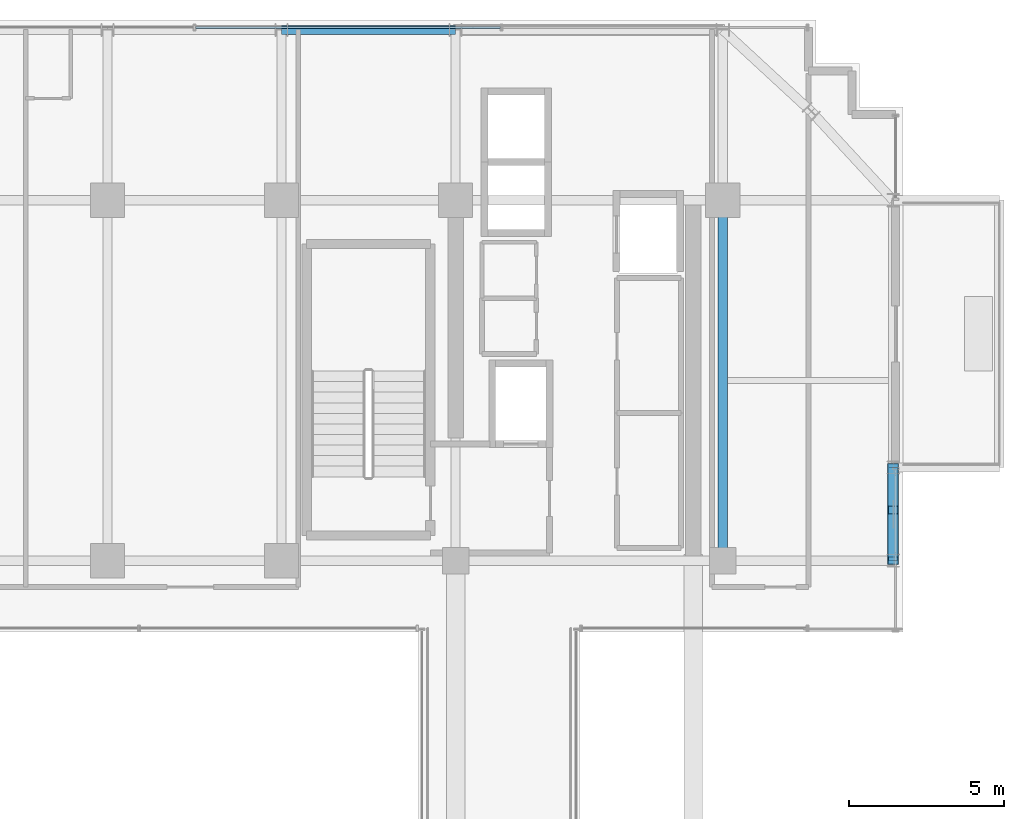
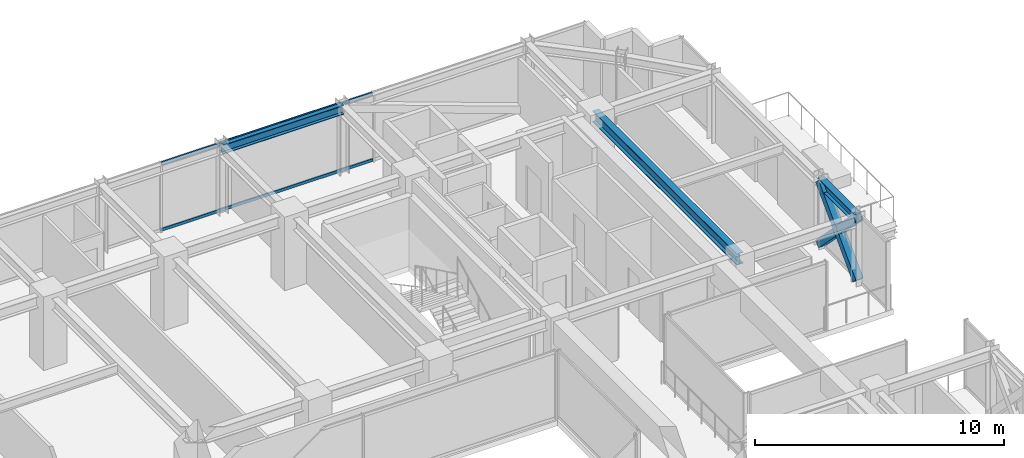
# One storey, part 25 of 38: 5 members, 3 beams, 1 element without a shape of its own.
"""IFC4 building model written with IfcOpenShell, lengths in metres."""

from ifc_helpers import new_model, si_unit, direction, frame, origin, origin_2d, place, context, subcontext, project, spatial, hollow_rectangle, i_section, extrude, source, transform, mapped, material, material_profile, profile_set, type_object, element, aggregate, save


model = new_model("IFC4")

# Units and contexts
model_context = context("Model", 3, precision=1e-05, world=origin(), true_north=direction((0.0, 1.0)))
body_context = subcontext(model_context, "Body", "Model", "MODEL_VIEW")
ifc_project = project(units=[si_unit("LENGTHUNIT", "METRE"), si_unit("AREAUNIT", "SQUARE_METRE"), si_unit("VOLUMEUNIT", "CUBIC_METRE"), si_unit("PLANEANGLEUNIT", "RADIAN"), si_unit("MASSUNIT", "GRAM", prefix="KILO")], contexts=[model_context])

# Site, building, storey
site_placement = place(None, origin())
site = spatial("IfcSite", under=ifc_project, at=site_placement, CompositionType="ELEMENT")
building_placement = place(site_placement, origin())
building = spatial("IfcBuilding", under=site, at=building_placement, Name="Nahalor Promenade Grand Hotel", CompositionType="ELEMENT")
storey_placement = place(building_placement, frame((0.0, 0.0, 163.60009765625)))
storey = spatial("IfcBuildingStorey", under=building, at=storey_placement, Name="L41", CompositionType="ELEMENT", Elevation=163.60009765625)

# Beams
ifc_material_1 = material(Name="Steel S355JR", Category="steel")
ifc_material_profile_1 = material_profile(ifc_material_1, i_section(OverallWidth=0.3, OverallDepth=0.55, WebThickness=0.015, FlangeThickness=0.029, at=origin_2d()), Name="HEB 550")
ifc_profile_set_1 = profile_set([ifc_material_profile_1], Name="Steel S355JR")
beam_type_1 = type_object("IfcBeamType", Name="Beam-Girder-HEB550", PredefinedType="BEAM", material=ifc_profile_set_1)
shared_shape_1 = source(origin(), body_context, "Body", "SweptSolid", [
    extrude(i_section(OverallWidth=0.3, OverallDepth=0.55, WebThickness=0.015, FlangeThickness=0.029, at=origin_2d()), origin(), (0.0, 0.0, 1.0), 11.60009765625),
])
beam_1_placement = place(storey_placement, frame((17.0, 5.39990234375, 3.114990234375), z_axis=(0.0, 1.0, 0.0), x_axis=(-1.0, 0.0, 0.0)))
element("IfcBeam", 1, at=beam_1_placement, inside=storey, type_object=beam_type_1, Name="BM-L41-GY-5-3", PredefinedType="BEAM", context=body_context, shape_type="MappedRepresentation", body=[
    mapped(shared_shape_1, transform((0.0, 0.0, 0.0), scale=1.0)),
])
ifc_material_profile_2 = material_profile(ifc_material_1, i_section(OverallWidth=0.3, OverallDepth=0.45, WebThickness=0.014, FlangeThickness=0.026, at=origin_2d()), Name="HEB 450")
ifc_profile_set_2 = profile_set([ifc_material_profile_2], Name="Steel S355JR")
beam_type_2 = type_object("IfcBeamType", Name="Beam-Spandrel-HEB450", PredefinedType="SPANDREL", material=ifc_profile_set_2)
shared_shape_2 = source(origin(), body_context, "Body", "SweptSolid", [
    extrude(i_section(OverallWidth=0.3, OverallDepth=0.45, WebThickness=0.014, FlangeThickness=0.026, at=origin_2d()), origin(), (0.0, 0.0, 1.0), 5.599853515625),
])
beam_2_placement = place(storey_placement, frame((2.800048828125, 22.47998046875, 3.164794921875), z_axis=(1.0, 0.0, 0.0), x_axis=(0.0, 1.0, 0.0)))
element("IfcBeam", 2, at=beam_2_placement, inside=storey, type_object=beam_type_2, Name="BM-L41-SP-N-3", PredefinedType="SPANDREL", context=body_context, shape_type="MappedRepresentation", body=[
    mapped(shared_shape_2, transform((0.0, 0.0, 0.0), scale=1.0)),
])
shared_shape_3 = source(origin(), body_context, "Body", "SweptSolid", [
    extrude(i_section(OverallWidth=0.3, OverallDepth=0.45, WebThickness=0.014, FlangeThickness=0.026, at=origin_2d()), origin(), (0.0, 0.0, 1.0), 3.0),
])
beam_3_placement = place(storey_placement, frame((22.47998046875, 5.39990234375, 3.164794921875), z_axis=(0.0, 1.0, 0.0), x_axis=(-1.0, 0.0, 0.0)))
element("IfcBeam", 3, at=beam_3_placement, inside=storey, type_object=beam_type_2, Name="BM-L41-SP-E-3", PredefinedType="SPANDREL", context=body_context, shape_type="MappedRepresentation", body=[
    mapped(shared_shape_3, transform((0.0, 0.0, 0.0), scale=1.0)),
])

# Members
ifc_material_profile_3 = material_profile(ifc_material_1, hollow_rectangle(XDim=0.35, YDim=0.35, WallThickness=0.02, at=origin_2d()), Name="SHS 350x350x20")
ifc_profile_set_3 = profile_set([ifc_material_profile_3], Name="Steel S355JR")
member_type_1 = type_object("IfcMemberType", Name="Mem-VoidBrace-SHS350", PredefinedType="BRACE", material=ifc_profile_set_3)
shared_shape_4 = source(origin(), body_context, "Body", "SweptSolid", [
    extrude(hollow_rectangle(XDim=0.35, YDim=0.35, WallThickness=0.02, at=origin_2d()), origin(), (0.0, 0.0, 1.0), 1.96630859375),
])
member_1_placement = place(storey_placement, frame((22.47998046875, 8.39990234375, 0.14990234375), z_axis=(0.0, -0.696537426897, 0.717520461682), x_axis=(1.0, 0.0, 0.0)))
element("IfcMember", 4, at=member_1_placement, inside=storey, type_object=member_type_1, Name="EXO-L41-VX2-E1A", PredefinedType="BRACE", context=body_context, shape_type="MappedRepresentation", body=[
    mapped(shared_shape_4, transform((0.0, 0.0, 0.0), scale=1.0)),
])
shared_shape_5 = source(origin(), body_context, "Body", "SweptSolid", [
    extrude(hollow_rectangle(XDim=0.35, YDim=0.35, WallThickness=0.02, at=origin_2d()), origin(), (0.0, 0.0, 1.0), 4.306884765625),
])
member_2_placement = place(storey_placement, frame((22.47998046875, 5.39990234375, 0.14990234375), z_axis=(0.0, 0.696570665899, 0.717488193219), x_axis=(-1.0, 0.0, 0.0)))
element("IfcMember", 5, at=member_2_placement, inside=storey, type_object=member_type_1, Name="EXO-L41-VX1-E1", PredefinedType="BRACE", context=body_context, shape_type="MappedRepresentation", body=[
    mapped(shared_shape_5, transform((0.0, 0.0, 0.0), scale=1.0)),
])
shared_shape_6 = source(origin(), body_context, "Body", "SweptSolid", [
    extrude(hollow_rectangle(XDim=0.35, YDim=0.35, WallThickness=0.02, at=origin_2d()), origin(), (0.0, 0.0, 1.0), 1.966552734375),
])
member_3_placement = place(storey_placement, frame((22.47998046875, 6.769775390625, 1.8291015625), z_axis=(0.0, -0.696601340579, 0.71745841155), x_axis=(1.0, 0.0, 0.0)))
element("IfcMember", 6, at=member_3_placement, inside=storey, type_object=member_type_1, Name="EXO-L41-VX2-E1B", PredefinedType="BRACE", context=body_context, shape_type="MappedRepresentation", body=[
    mapped(shared_shape_6, transform((0.0, 0.0, 0.0), scale=1.0)),
])

# Curtain wall, members
ifc_material_2 = material(Name="Anodised Bronze Aluminium EN AW-6063 T6", Category="aluminium")
curtain_wall_type = type_object("IfcCurtainWallType", Name="CW3 Elliptical-Void Collar Unitised Curtain Wall", PredefinedType="USERDEFINED", material=ifc_material_2)
curtain_wall_placement = place(storey_placement, origin())
curtain_wall = element("IfcCurtainWall", 7, at=curtain_wall_placement, inside=storey, type_object=curtain_wall_type, Name="L41 Curtain Wall CW-L41-N-1", ObjectType="UNITISED_CURTAIN_WALL", PredefinedType="USERDEFINED")
ifc_material_profile_4 = material_profile(ifc_material_2, hollow_rectangle(XDim=0.07, YDim=0.14, WallThickness=0.004, at=origin_2d()), Name="CWT 70x140x4")
ifc_profile_set_4 = profile_set([ifc_material_profile_4], Name="Anodised Bronze Aluminium EN AW-6063 T6")
member_type_2 = type_object("IfcMemberType", Name="CWT3 Void Collar Transom 70x140", PredefinedType="USERDEFINED", material=ifc_profile_set_4)
shared_shape_7 = source(origin(), body_context, "Body", "SweptSolid", [
    extrude(hollow_rectangle(XDim=0.07, YDim=0.14, WallThickness=0.004, at=origin_2d()), origin(), (0.0, 0.0, 1.0), 9.81005859375),
])
member_4_placement = place(storey_placement, frame((0.034912109375, 22.56005859375, 0.06982421875), z_axis=(1.0, 0.0, 0.0), x_axis=(0.0, 1.0, 0.0)))
member_4 = element("IfcMember", 8, at=member_4_placement, type_object=member_type_2, Name="CW-L41-N-1 Transom 2-0", ObjectType="TRANSOM", PredefinedType="USERDEFINED", context=body_context, shape_type="MappedRepresentation", body=[
    mapped(shared_shape_7, transform((0.0, 0.0, 0.0), scale=1.0)),
])
member_5_placement = place(storey_placement, frame((0.034912109375, 22.56005859375, 3.31982421875), z_axis=(1.0, 0.0, 0.0), x_axis=(0.0, 1.0, 0.0)))
member_5 = element("IfcMember", 9, at=member_5_placement, type_object=member_type_2, Name="CW-L41-N-1 Transom 2-1", ObjectType="TRANSOM", PredefinedType="USERDEFINED", context=body_context, shape_type="MappedRepresentation", body=[
    mapped(shared_shape_7, transform((0.0, 0.0, 0.0), scale=1.0)),
])
aggregate(curtain_wall, [member_4, member_5])

save(model, "model.ifc")
